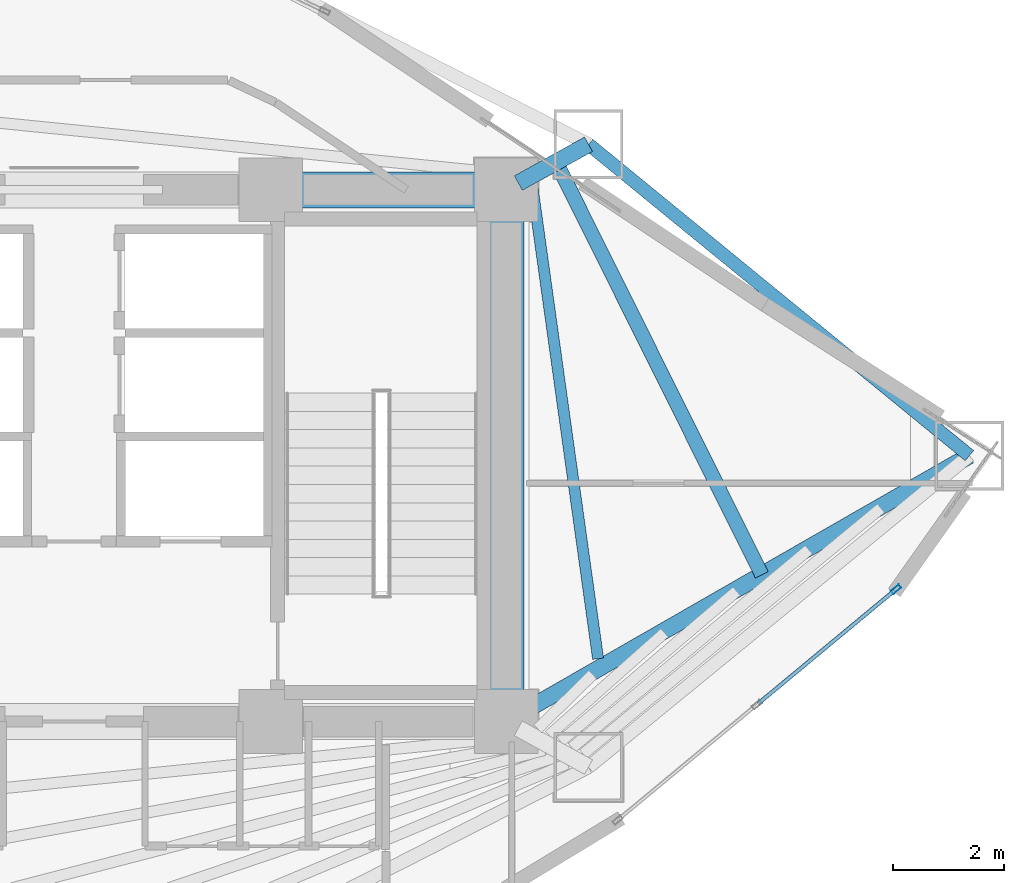
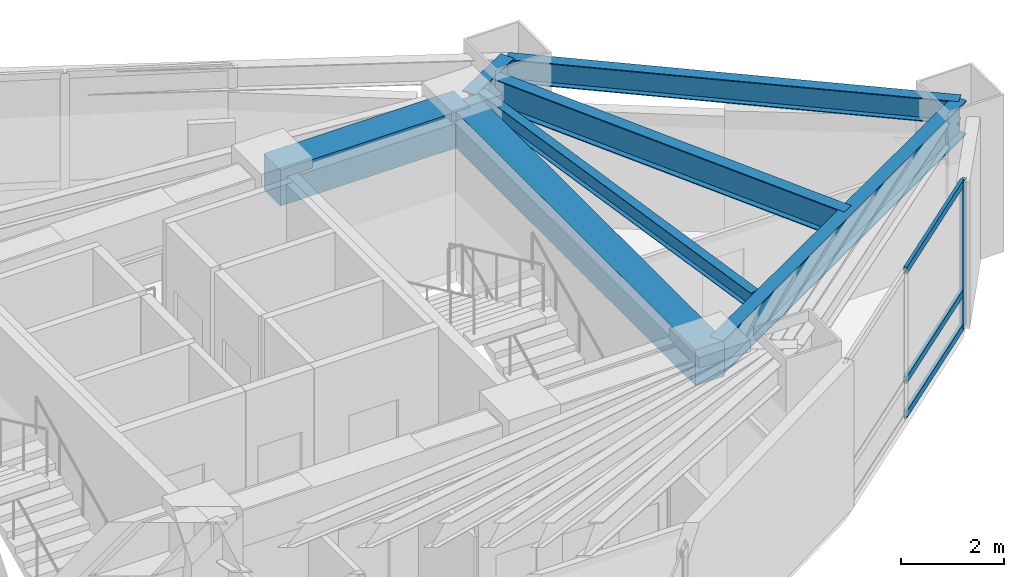
# One storey, part 17 of 23: 7 beams, 4 members, 1 element without a shape of its own.
"""IFC4 building model written with IfcOpenShell, lengths in metres."""

from ifc_helpers import new_model, si_unit, direction, frame, origin, origin_2d, place, context, subcontext, project, spatial, rectangle, hollow_rectangle, i_section, extrude, material, layer, layer_set, material_profile, profile_set, type_object, element, aggregate, save


model = new_model("IFC4")

# Units and contexts
model_context = context("Model", 3, precision=1e-05, world=origin(), true_north=direction((0.0, 1.0)))
body_context = subcontext(model_context, "Body", "Model", "MODEL_VIEW")
ifc_project = project(units=[si_unit("LENGTHUNIT", "METRE"), si_unit("AREAUNIT", "SQUARE_METRE"), si_unit("VOLUMEUNIT", "CUBIC_METRE"), si_unit("PLANEANGLEUNIT", "RADIAN"), si_unit("MASSUNIT", "GRAM", prefix="KILO")], contexts=[model_context])

# Site, building, storey
site_placement = place(None, origin())
site = spatial("IfcSite", under=ifc_project, at=site_placement, CompositionType="ELEMENT")
building_placement = place(site_placement, origin())
building = spatial("IfcBuilding", under=site, at=building_placement, Name="Menara Vayukalpa", CompositionType="ELEMENT")
storey_placement = place(building_placement, frame((0.0, 0.0, 103.97998046875)))
storey = spatial("IfcBuildingStorey", under=building, at=storey_placement, Name="L25", CompositionType="ELEMENT", Elevation=103.97998046875)

# Beams
ifc_material_1 = material(Name="Concrete C60/75", Category="concrete")
ifc_material_profile_1 = material_profile(ifc_material_1, rectangle(XDim=0.64990234375, YDim=0.85009765625, at=origin_2d()), Name="RC 650x850")
ifc_profile_set_1 = profile_set([ifc_material_profile_1], Name="Concrete C60/75")
beam_type_1 = type_object("IfcBeamType", Name="BM-CB1", PredefinedType="BEAM", material=ifc_profile_set_1)
beam_1_placement = place(storey_placement, frame((29.14990234375, 26.800048828125, 3.044921875), z_axis=(1.0, 0.0, 0.0), x_axis=(0.0, 1.0, 0.0)))
element("IfcBeam", 1, at=beam_1_placement, inside=storey, type_object=beam_type_1, Name="L25 Core Tie Beam CBR6", PredefinedType="BEAM", context=body_context, shape_type="SweptSolid", body=[
    extrude(rectangle(XDim=0.64990234375, YDim=0.85009765625, at=origin_2d()), origin(), (0.0, 0.0, 1.0), 4.25),
])
beam_2_placement = place(storey_placement, frame((33.39990234375, 17.199951171875, 3.044921875), z_axis=(0.0, 1.0, 0.0), x_axis=(-1.0, 0.0, 0.0)))
element("IfcBeam", 2, at=beam_2_placement, inside=storey, type_object=beam_type_1, Name="L25 Core Tie Beam CBR8", PredefinedType="BEAM", context=body_context, shape_type="SweptSolid", body=[
    extrude(rectangle(XDim=0.64990234375, YDim=0.85009765625, at=origin_2d()), origin(), (0.0, 0.0, 1.0), 9.60009765625),
])
ifc_material_2 = material(Name="Steel S355", Category="steel")
ifc_material_profile_2 = material_profile(ifc_material_2, i_section(OverallWidth=0.300048828125, OverallDepth=0.800048828125, WebThickness=0.013916015625, FlangeThickness=0.02587890625, at=origin_2d()), Name="WF 800x300x14x26")
ifc_profile_set_2 = profile_set([ifc_material_profile_2], Name="Steel S355")
beam_type_2 = type_object("IfcBeamType", Name="BM-PG3", PredefinedType="BEAM", material=ifc_profile_set_2)
beam_3_placement = place(storey_placement, frame((33.61669921875, 17.324462890625, 3.070068359375), z_axis=(0.867273673572, 0.497831673488, 0.0), x_axis=(-0.497831673488, 0.867273673572, 0.0)))
element("IfcBeam", 3, at=beam_3_placement, inside=storey, type_object=beam_type_2, Name="L25 Primary Radial Girder RG01", PredefinedType="BEAM", context=body_context, shape_type="SweptSolid", body=[
    extrude(i_section(OverallWidth=0.300048828125, OverallDepth=0.800048828125, WebThickness=0.013916015625, FlangeThickness=0.02587890625, at=origin_2d()), origin(), (0.0, 0.0, 1.0), 9.391845703125),
])
beam_4_placement = place(storey_placement, frame((33.618896484375, 26.9208984375, 3.070068359375), z_axis=(0.875228391676, 0.48370989488, 0.0), x_axis=(-0.48370989488, 0.875228391676, 0.0)))
element("IfcBeam", 4, at=beam_4_placement, inside=storey, type_object=beam_type_2, Name="L25 Primary Radial Girder RG02", PredefinedType="BEAM", context=body_context, shape_type="SweptSolid", body=[
    extrude(i_section(OverallWidth=0.300048828125, OverallDepth=0.800048828125, WebThickness=0.013916015625, FlangeThickness=0.02587890625, at=origin_2d()), origin(), (0.0, 0.0, 1.0), 1.448486328125),
])
ifc_material_3 = material(Name="Steel S460", Category="steel")
ifc_material_profile_3 = material_profile(ifc_material_3, i_section(OverallWidth=0.260009765625, OverallDepth=0.679931640625, WebThickness=0.012939453125, FlangeThickness=0.02197265625, at=origin_2d()), Name="WF 680x260x13x22")
ifc_profile_set_3 = profile_set([ifc_material_profile_3], Name="Steel S460")
beam_type_3 = type_object("IfcBeamType", Name="BM-SBG1", PredefinedType="BEAM", material=ifc_profile_set_3)
beam_5_placement = place(storey_placement, frame((38.01513671875, 19.849365234375, 3.130126953125), z_axis=(-0.445934263538, 0.895065714126, 0.0), x_axis=(-0.895065714126, -0.445934263538, 0.0)))
element("IfcBeam", 5, at=beam_5_placement, inside=storey, type_object=beam_type_3, Name="L25 SB2 Sky Bar Interior Tie Beam", PredefinedType="BEAM", context=body_context, shape_type="SweptSolid", body=[
    extrude(i_section(OverallWidth=0.260009765625, OverallDepth=0.679931640625, WebThickness=0.012939453125, FlangeThickness=0.02197265625, at=origin_2d()), origin(), (0.0, 0.0, 1.0), 8.3232421875),
])
ifc_material_4 = material(Name="Steel S355", Category="steel")
ifc_material_profile_4 = material_profile(ifc_material_4, i_section(OverallWidth=0.199951171875, OverallDepth=0.39990234375, WebThickness=0.008056640625, FlangeThickness=0.012939453125, at=origin_2d()), Name="WF 400x200x8x13")
ifc_profile_set_4 = profile_set([ifc_material_profile_4], Name="Steel S355")
beam_type_4 = type_object("IfcBeamType", Name="BM-SJ2", PredefinedType="JOIST", material=ifc_profile_set_4)
beam_6_placement = place(storey_placement, frame((35.0595703125, 18.33447265625, 3.27001953125), z_axis=(-0.137826740717, 0.990456354184, 0.0), x_axis=(-0.990456354184, -0.137826740717, 0.0)))
element("IfcBeam", 6, at=beam_6_placement, inside=storey, type_object=beam_type_4, Name="L25 Secondary Floor Joist SJ01-1", PredefinedType="JOIST", context=body_context, shape_type="SweptSolid", body=[
    extrude(i_section(OverallWidth=0.199951171875, OverallDepth=0.39990234375, WebThickness=0.008056640625, FlangeThickness=0.012939453125, at=origin_2d()), origin(), (0.0, 0.0, 1.0), 8.62646484375),
])
ifc_material_5 = material(Name="Steel S355", Category="steel")
ifc_material_profile_5 = material_profile(ifc_material_5, i_section(OverallWidth=0.239990234375, OverallDepth=0.550048828125, WebThickness=0.010986328125, FlangeThickness=0.01904296875, at=origin_2d()), Name="WF 550x240x11x19")
ifc_profile_set_5 = profile_set([ifc_material_profile_5], Name="Steel S355")
beam_type_5 = type_object("IfcBeamType", Name="BM-SP2", PredefinedType="SPANDREL", material=ifc_profile_set_5)
beam_7_placement = place(storey_placement, frame((41.761962890625, 22.0, 3.195068359375), z_axis=(-0.774156906301, 0.632993747541, 0.0), x_axis=(-0.632993747541, -0.774156906301, 0.0)))
element("IfcBeam", 7, at=beam_7_placement, inside=storey, type_object=beam_type_5, Name="L25 Perimeter Spandrel Beam SP01", PredefinedType="SPANDREL", context=body_context, shape_type="SweptSolid", body=[
    extrude(i_section(OverallWidth=0.239990234375, OverallDepth=0.550048828125, WebThickness=0.010986328125, FlangeThickness=0.01904296875, at=origin_2d()), origin(), (0.0, 0.0, 1.0), 8.880859375),
])

# Curtain wall, members
ifc_material_6 = material(Name="Anodised Terracotta Aluminium Alloy 6063-T6", Category="masonry")
ifc_layer = layer(ifc_material_6, 0.179931640625)
ifc_layer_set = layer_set([ifc_layer], Name="Anodised Terracotta Aluminium Alloy 6063-T6")
curtain_wall_type = type_object("IfcCurtainWallType", Name="CW-CW4", PredefinedType="USERDEFINED", material=ifc_layer_set)
curtain_wall_placement = place(storey_placement, origin())
curtain_wall = element("IfcCurtainWall", 8, at=curtain_wall_placement, inside=storey, type_object=curtain_wall_type, Name="L25 Sky Bar Cantilever Glazed Curtain Wall CW4 19", ObjectType="UNITISED", PredefinedType="USERDEFINED")
ifc_material_7 = material(Name="Anodised Terracotta Aluminium Alloy 6063-T6", Category="masonry")
ifc_material_profile_6 = material_profile(ifc_material_7, hollow_rectangle(XDim=0.074951171875, YDim=0.179931640625, WallThickness=0.00390625, at=origin_2d()), Name="ALU 75x180x4")
ifc_profile_set_6 = profile_set([ifc_material_profile_6], Name="Anodised Terracotta Aluminium Alloy 6063-T6")
member_type_1 = type_object("IfcMemberType", Name="CWM-CW4", PredefinedType="MULLION", material=ifc_profile_set_6)
member_1_placement = place(storey_placement, frame((40.438720703125, 19.58837890625, 0.0), z_axis=(0.0, 0.0, 1.0), x_axis=(-0.638345501574, 0.769749972797, 0.0)))
member_1 = element("IfcMember", 9, at=member_1_placement, type_object=member_type_1, Name="CW4 mullion 3", PredefinedType="MULLION", context=body_context, shape_type="SweptSolid", body=[
    extrude(hollow_rectangle(XDim=0.074951171875, YDim=0.179931640625, WallThickness=0.00390625, at=origin_2d()), origin(), (0.0, 0.0, 1.0), 3.469970703125),
])
ifc_material_8 = material(Name="Anodised Terracotta Aluminium Alloy 6063-T6", Category="masonry")
ifc_material_profile_7 = material_profile(ifc_material_8, hollow_rectangle(XDim=0.070068359375, YDim=0.1650390625, WallThickness=0.00390625, at=origin_2d()), Name="ALU 70x165x4")
ifc_profile_set_7 = profile_set([ifc_material_profile_7], Name="Anodised Terracotta Aluminium Alloy 6063-T6")
member_type_2 = type_object("IfcMemberType", Name="CWT-CW4", PredefinedType="USERDEFINED", material=ifc_profile_set_7)
member_2_placement = place(storey_placement, frame((37.955810546875, 17.529052734375, 0.034912109375), z_axis=(0.769712991682, 0.638390092683, 0.0), x_axis=(-0.638390092683, 0.769712991682, 0.0)))
member_2 = element("IfcMember", 10, at=member_2_placement, type_object=member_type_2, Name="CW4 transom 2.1", ObjectType="TRANSOM", PredefinedType="USERDEFINED", context=body_context, shape_type="SweptSolid", body=[
    extrude(hollow_rectangle(XDim=0.070068359375, YDim=0.1650390625, WallThickness=0.00390625, at=origin_2d()), origin(), (0.0, 0.0, 1.0), 3.188232421875),
])
member_3_placement = place(storey_placement, frame((37.955810546875, 17.529052734375, 0.85009765625), z_axis=(0.769712991682, 0.638390092683, 0.0), x_axis=(-0.638390092683, 0.769712991682, 0.0)))
member_3 = element("IfcMember", 11, at=member_3_placement, type_object=member_type_2, Name="CW4 transom 2.2", ObjectType="TRANSOM", PredefinedType="USERDEFINED", context=body_context, shape_type="SweptSolid", body=[
    extrude(hollow_rectangle(XDim=0.070068359375, YDim=0.1650390625, WallThickness=0.00390625, at=origin_2d()), origin(), (0.0, 0.0, 1.0), 3.188232421875),
])
member_4_placement = place(storey_placement, frame((37.955810546875, 17.529052734375, 3.43505859375), z_axis=(0.769712991682, 0.638390092683, 0.0), x_axis=(-0.638390092683, 0.769712991682, 0.0)))
member_4 = element("IfcMember", 12, at=member_4_placement, type_object=member_type_2, Name="CW4 transom 2.3", ObjectType="TRANSOM", PredefinedType="USERDEFINED", context=body_context, shape_type="SweptSolid", body=[
    extrude(hollow_rectangle(XDim=0.070068359375, YDim=0.1650390625, WallThickness=0.00390625, at=origin_2d()), origin(), (0.0, 0.0, 1.0), 3.188232421875),
])
aggregate(curtain_wall, [member_1, member_2, member_3, member_4])

save(model, "model.ifc")
